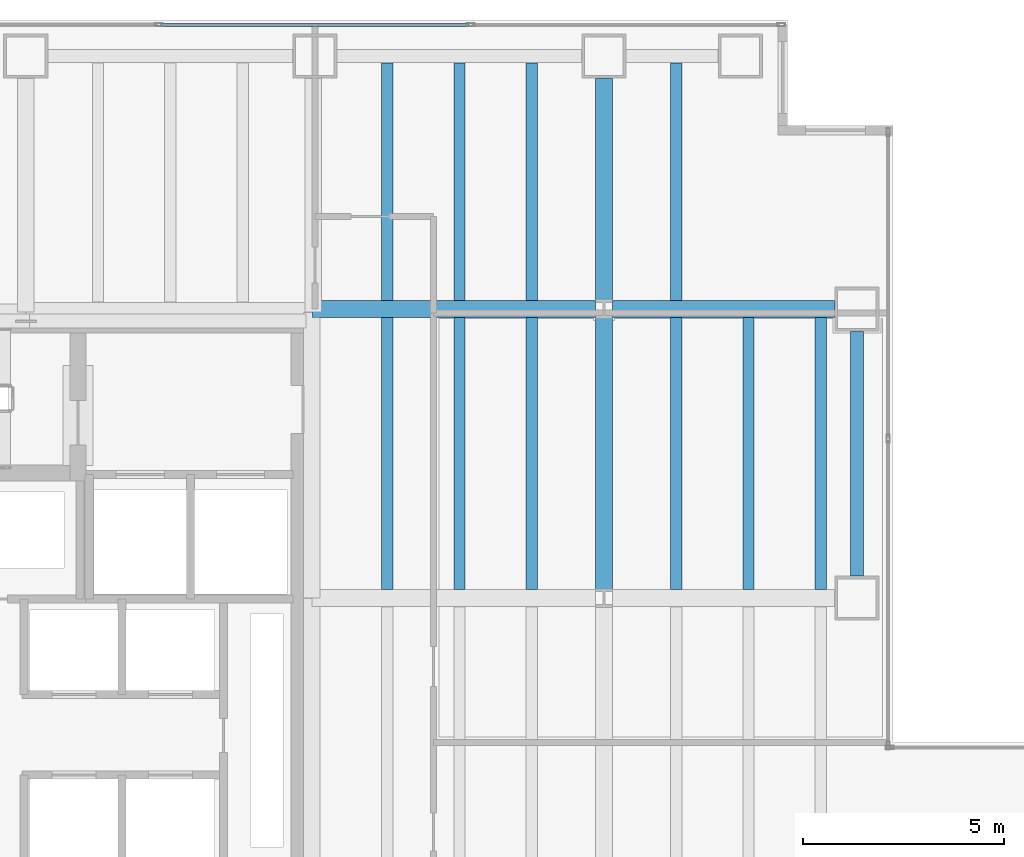
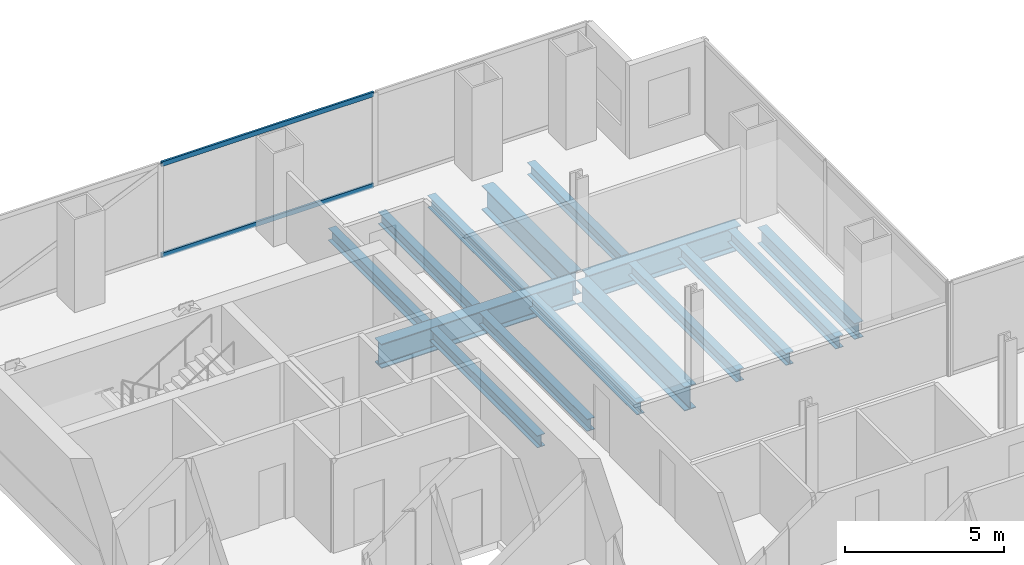
# One storey, part 17 of 25: 15 beams, 2 members, 1 element without a shape of its own.
"""IFC4 building model written with IfcOpenShell, lengths in metres."""

from ifc_helpers import new_model, si_unit, direction, frame, origin, origin_2d, place, context, subcontext, project, spatial, hollow_rectangle, i_section, extrude, material, material_profile, profile_set, type_object, element, aggregate, save


model = new_model("IFC4")

# Units and contexts
model_context = context("Model", 3, precision=1e-05, world=origin(), true_north=direction((0.0, 1.0)))
body_context = subcontext(model_context, "Body", "Model", "MODEL_VIEW")
ifc_project = project(units=[si_unit("LENGTHUNIT", "METRE"), si_unit("AREAUNIT", "SQUARE_METRE"), si_unit("VOLUMEUNIT", "CUBIC_METRE"), si_unit("PLANEANGLEUNIT", "RADIAN"), si_unit("MASSUNIT", "GRAM", prefix="KILO")], contexts=[model_context])

# Site, building, storey
site_placement = place(None, origin())
site = spatial("IfcSite", under=ifc_project, at=site_placement, CompositionType="ELEMENT")
building_placement = place(site_placement, origin())
building = spatial("IfcBuilding", under=site, at=building_placement, Name="Cobrela Telecom Tower", CompositionType="ELEMENT")
storey_placement = place(building_placement, frame((0.0, 0.0, 42.699951171875)))
storey = spatial("IfcBuildingStorey", under=building, at=storey_placement, Name="L10", CompositionType="ELEMENT", Elevation=42.699951171875)

# Beams
ifc_material_1 = material(Name="Steel ASTM A992 Grade 50", Category="steel")
ifc_material_profile_1 = material_profile(ifc_material_1, i_section(OverallWidth=0.4189453125, OverallDepth=0.927001953125, WebThickness=0.019287109375, FlangeThickness=0.031982421875, FilletRadius=0.02392578125, at=origin_2d()), Name="W36X231")
ifc_profile_set_1 = profile_set([ifc_material_profile_1], Name="Steel ASTM A992 Grade 50")
beam_type_1 = type_object("IfcBeamType", Name="BM-GIRD-02", PredefinedType="USERDEFINED", material=ifc_profile_set_1)
beam_1_placement = place(storey_placement, frame((14.324951171875, 36.0, -0.743408203125), z_axis=(1.0, 0.0, 0.0), x_axis=(0.0, 1.0, 0.0)))
element("IfcBeam", 1, at=beam_1_placement, inside=storey, type_object=beam_type_1, Name="L10 Primary Girder X27", ObjectType="GIRDER", PredefinedType="USERDEFINED", context=body_context, shape_type="SweptSolid", body=[
    extrude(i_section(OverallWidth=0.4189453125, OverallDepth=0.927001953125, WebThickness=0.019287109375, FlangeThickness=0.031982421875, FilletRadius=0.02392578125, at=origin_2d()), origin(), (0.0, 0.0, 1.0), 7.05908203125),
])
beam_2_placement = place(storey_placement, frame((21.81591796875, 36.0, -0.743408203125), z_axis=(1.0, 0.0, 0.0), x_axis=(0.0, 1.0, 0.0)))
element("IfcBeam", 2, at=beam_2_placement, inside=storey, type_object=beam_type_1, Name="L10 Primary Girder X28", ObjectType="GIRDER", PredefinedType="USERDEFINED", context=body_context, shape_type="SweptSolid", body=[
    extrude(i_section(OverallWidth=0.4189453125, OverallDepth=0.927001953125, WebThickness=0.019287109375, FlangeThickness=0.031982421875, FilletRadius=0.02392578125, at=origin_2d()), origin(), (0.0, 0.0, 1.0), 5.529052734375),
])
beam_3_placement = place(storey_placement, frame((21.60009765625, 29.01611328125, -0.743408203125), z_axis=(0.0, 1.0, 0.0), x_axis=(-1.0, 0.0, 0.0)))
element("IfcBeam", 3, at=beam_3_placement, inside=storey, type_object=beam_type_1, Name="L10 Primary Girder Y44", ObjectType="GIRDER", PredefinedType="USERDEFINED", context=body_context, shape_type="SweptSolid", body=[
    extrude(i_section(OverallWidth=0.4189453125, OverallDepth=0.927001953125, WebThickness=0.019287109375, FlangeThickness=0.031982421875, FilletRadius=0.02392578125, at=origin_2d()), origin(), (0.0, 0.0, 1.0), 6.767822265625),
])
beam_4_placement = place(storey_placement, frame((21.60009765625, 36.216064453125, -0.743408203125), z_axis=(0.0, 1.0, 0.0), x_axis=(-1.0, 0.0, 0.0)))
element("IfcBeam", 4, at=beam_4_placement, inside=storey, type_object=beam_type_1, Name="L10 Primary Girder Y45", ObjectType="GIRDER", PredefinedType="USERDEFINED", context=body_context, shape_type="SweptSolid", body=[
    extrude(i_section(OverallWidth=0.4189453125, OverallDepth=0.927001953125, WebThickness=0.019287109375, FlangeThickness=0.031982421875, FilletRadius=0.02392578125, at=origin_2d()), origin(), (0.0, 0.0, 1.0), 5.529052734375),
])
ifc_material_profile_2 = material_profile(ifc_material_1, i_section(OverallWidth=0.281982421875, OverallDepth=0.467041015625, WebThickness=0.01220703125, FlangeThickness=0.01953125, FilletRadius=0.012939453125, at=origin_2d()), Name="W18X86")
ifc_profile_set_2 = profile_set([ifc_material_profile_2], Name="Steel ASTM A992 Grade 50")
beam_type_2 = type_object("IfcBeamType", Name="BM-JOIST-02", PredefinedType="JOIST", material=ifc_profile_set_2)
beam_5_placement = place(storey_placement, frame((16.199951171875, 29.014404296875, -0.513427734375), z_axis=(0.0, 1.0, 0.0), x_axis=(-1.0, 0.0, 0.0)))
element("IfcBeam", 5, at=beam_5_placement, inside=storey, type_object=beam_type_2, Name="L10 Secondary Composite Floor Beam J11", PredefinedType="JOIST", context=body_context, shape_type="SweptSolid", body=[
    extrude(i_section(OverallWidth=0.281982421875, OverallDepth=0.467041015625, WebThickness=0.01220703125, FlangeThickness=0.01953125, FilletRadius=0.012939453125, at=origin_2d()), origin(), (0.0, 0.0, 1.0), 6.77099609375),
])
beam_6_placement = place(storey_placement, frame((16.199951171875, 36.214599609375, -0.513427734375), z_axis=(0.0, 1.0, 0.0), x_axis=(-1.0, 0.0, 0.0)))
element("IfcBeam", 6, at=beam_6_placement, inside=storey, type_object=beam_type_2, Name="L10 Secondary Composite Floor Beam J12", PredefinedType="JOIST", context=body_context, shape_type="SweptSolid", body=[
    extrude(i_section(OverallWidth=0.281982421875, OverallDepth=0.467041015625, WebThickness=0.01220703125, FlangeThickness=0.01953125, FilletRadius=0.012939453125, at=origin_2d()), origin(), (0.0, 0.0, 1.0), 5.91796875),
])
beam_7_placement = place(storey_placement, frame((18.0, 29.014404296875, -0.513427734375), z_axis=(0.0, 1.0, 0.0), x_axis=(-1.0, 0.0, 0.0)))
element("IfcBeam", 7, at=beam_7_placement, inside=storey, type_object=beam_type_2, Name="L10 Secondary Composite Floor Beam J17", PredefinedType="JOIST", context=body_context, shape_type="SweptSolid", body=[
    extrude(i_section(OverallWidth=0.281982421875, OverallDepth=0.467041015625, WebThickness=0.01220703125, FlangeThickness=0.01953125, FilletRadius=0.012939453125, at=origin_2d()), origin(), (0.0, 0.0, 1.0), 6.77099609375),
])
beam_8_placement = place(storey_placement, frame((18.0, 36.214599609375, -0.513427734375), z_axis=(0.0, 1.0, 0.0), x_axis=(-1.0, 0.0, 0.0)))
element("IfcBeam", 8, at=beam_8_placement, inside=storey, type_object=beam_type_2, Name="L10 Secondary Composite Floor Beam J18", PredefinedType="JOIST", context=body_context, shape_type="SweptSolid", body=[
    extrude(i_section(OverallWidth=0.281982421875, OverallDepth=0.467041015625, WebThickness=0.01220703125, FlangeThickness=0.01953125, FilletRadius=0.012939453125, at=origin_2d()), origin(), (0.0, 0.0, 1.0), 5.91796875),
])
beam_9_placement = place(storey_placement, frame((19.800048828125, 29.014404296875, -0.513427734375), z_axis=(0.0, 1.0, 0.0), x_axis=(-1.0, 0.0, 0.0)))
element("IfcBeam", 9, at=beam_9_placement, inside=storey, type_object=beam_type_2, Name="L10 Secondary Composite Floor Beam J23", PredefinedType="JOIST", context=body_context, shape_type="SweptSolid", body=[
    extrude(i_section(OverallWidth=0.281982421875, OverallDepth=0.467041015625, WebThickness=0.01220703125, FlangeThickness=0.01953125, FilletRadius=0.012939453125, at=origin_2d()), origin(), (0.0, 0.0, 1.0), 6.77099609375),
])
beam_10_placement = place(storey_placement, frame((19.800048828125, 36.214599609375, -0.513427734375), z_axis=(0.0, 1.0, 0.0), x_axis=(-1.0, 0.0, 0.0)))
element("IfcBeam", 10, at=beam_10_placement, inside=storey, type_object=beam_type_2, Name="L10 Secondary Composite Floor Beam J24", PredefinedType="JOIST", context=body_context, shape_type="SweptSolid", body=[
    extrude(i_section(OverallWidth=0.281982421875, OverallDepth=0.467041015625, WebThickness=0.01220703125, FlangeThickness=0.01953125, FilletRadius=0.012939453125, at=origin_2d()), origin(), (0.0, 0.0, 1.0), 5.91796875),
])
beam_11_placement = place(storey_placement, frame((23.39990234375, 29.014404296875, -0.513427734375), z_axis=(0.0, 1.0, 0.0), x_axis=(-1.0, 0.0, 0.0)))
element("IfcBeam", 11, at=beam_11_placement, inside=storey, type_object=beam_type_2, Name="L10 Secondary Composite Floor Beam J29", PredefinedType="JOIST", context=body_context, shape_type="SweptSolid", body=[
    extrude(i_section(OverallWidth=0.281982421875, OverallDepth=0.467041015625, WebThickness=0.01220703125, FlangeThickness=0.01953125, FilletRadius=0.012939453125, at=origin_2d()), origin(), (0.0, 0.0, 1.0), 6.77099609375),
])
beam_12_placement = place(storey_placement, frame((23.39990234375, 36.214599609375, -0.513427734375), z_axis=(0.0, 1.0, 0.0), x_axis=(-1.0, 0.0, 0.0)))
element("IfcBeam", 12, at=beam_12_placement, inside=storey, type_object=beam_type_2, Name="L10 Secondary Composite Floor Beam J30", PredefinedType="JOIST", context=body_context, shape_type="SweptSolid", body=[
    extrude(i_section(OverallWidth=0.281982421875, OverallDepth=0.467041015625, WebThickness=0.01220703125, FlangeThickness=0.01953125, FilletRadius=0.012939453125, at=origin_2d()), origin(), (0.0, 0.0, 1.0), 5.91796875),
])
for number, where, z_axis, x_axis, name in (
    (13, (25.199951171875, 29.014404296875, -0.513427734375), (0.0, 1.0, 0.0), (-1.0, 0.0, 0.0), "L10 Secondary Composite Floor Beam J35"),
    (14, (27.0, 29.014404296875, -0.513427734375), (0.0, 1.0, 0.0), (-1.0, 0.0, 0.0), "L10 Secondary Composite Floor Beam J40"),
):
    element("IfcBeam", number, at=place(storey_placement, frame(where, z_axis=z_axis, x_axis=x_axis)), inside=storey, type_object=beam_type_2, Name=name, PredefinedType="JOIST", context=body_context, shape_type="SweptSolid", body=[
        extrude(i_section(OverallWidth=0.281982421875, OverallDepth=0.467041015625, WebThickness=0.01220703125, FlangeThickness=0.01953125, FilletRadius=0.012939453125, at=origin_2d()), origin(), (0.0, 0.0, 1.0), 6.77099609375),
    ])
ifc_material_profile_3 = material_profile(ifc_material_1, i_section(OverallWidth=0.324951171875, OverallDepth=0.612060546875, WebThickness=0.0126953125, FlangeThickness=0.01904296875, FilletRadius=0.014892578125, at=origin_2d()), Name="W24X104")
ifc_profile_set_3 = profile_set([ifc_material_profile_3], Name="Steel ASTM A992 Grade 50")
beam_type_3 = type_object("IfcBeamType", Name="BM-SPAND-02", PredefinedType="SPANDREL", material=ifc_profile_set_3)
beam_13_placement = place(storey_placement, frame((27.89990234375, 29.35498046875, -0.5859375), z_axis=(0.0, 1.0, 0.0), x_axis=(-1.0, 0.0, 0.0)))
element("IfcBeam", 15, at=beam_13_placement, inside=storey, type_object=beam_type_3, Name="L10 Perimeter Spandrel Y46", PredefinedType="SPANDREL", context=body_context, shape_type="SweptSolid", body=[
    extrude(i_section(OverallWidth=0.324951171875, OverallDepth=0.612060546875, WebThickness=0.0126953125, FlangeThickness=0.01904296875, FilletRadius=0.014892578125, at=origin_2d()), origin(), (0.0, 0.0, 1.0), 6.090087890625),
])

# Curtain wall, members
ifc_material_2 = material(Name="Anodized Bronze Aluminium 6063-T6", Category="aluminium")
curtain_wall_type = type_object("IfcCurtainWallType", Name="CW-SYS-DATA", PredefinedType="USERDEFINED", material=ifc_material_2)
curtain_wall_placement = place(storey_placement, origin())
curtain_wall = element("IfcCurtainWall", 16, at=curtain_wall_placement, inside=storey, type_object=curtain_wall_type, Name="L10 Unitised Bronze Curtain Wall 07", ObjectType="UNITISED CURTAIN WALL", PredefinedType="USERDEFINED")
ifc_material_profile_4 = material_profile(ifc_material_2, hollow_rectangle(XDim=0.074951171875, YDim=0.179931640625, WallThickness=0.00390625, at=origin_2d()), Name="ALU 75x180x4")
ifc_profile_set_4 = profile_set([ifc_material_profile_4], Name="Anodized Bronze Aluminium 6063-T6")
member_type = type_object("IfcMemberType", Name="CW-SYS-DATA-TRN", PredefinedType="USERDEFINED", material=ifc_profile_set_4)
member_1_placement = place(storey_placement, frame((10.556640625, 43.080078125, 0.03759765625), z_axis=(1.0, 0.0, 0.0), x_axis=(0.0, 1.0, 0.0)))
member_1 = element("IfcMember", 17, at=member_1_placement, type_object=member_type, Name="CW-DATA transom 2.1", ObjectType="TRANSOM", PredefinedType="USERDEFINED", context=body_context, shape_type="SweptSolid", body=[
    extrude(hollow_rectangle(XDim=0.074951171875, YDim=0.179931640625, WallThickness=0.00390625, at=origin_2d()), origin(), (0.0, 0.0, 1.0), 7.686767578125),
])
member_2_placement = place(storey_placement, frame((10.556640625, 43.080078125, 3.532470703125), z_axis=(1.0, 0.0, 0.0), x_axis=(0.0, 1.0, 0.0)))
member_2 = element("IfcMember", 18, at=member_2_placement, type_object=member_type, Name="CW-DATA transom 2.2", ObjectType="TRANSOM", PredefinedType="USERDEFINED", context=body_context, shape_type="SweptSolid", body=[
    extrude(hollow_rectangle(XDim=0.074951171875, YDim=0.179931640625, WallThickness=0.00390625, at=origin_2d()), origin(), (0.0, 0.0, 1.0), 7.686767578125),
])
aggregate(curtain_wall, [member_1, member_2])

save(model, "model.ifc")
